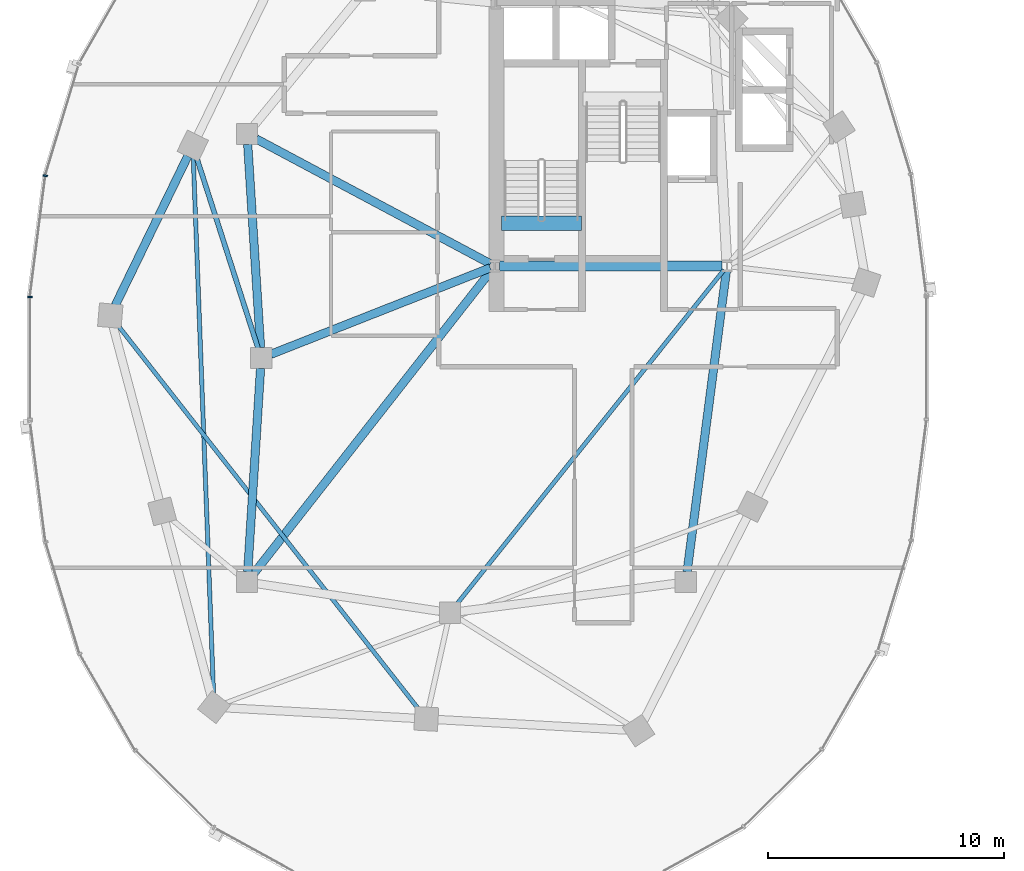
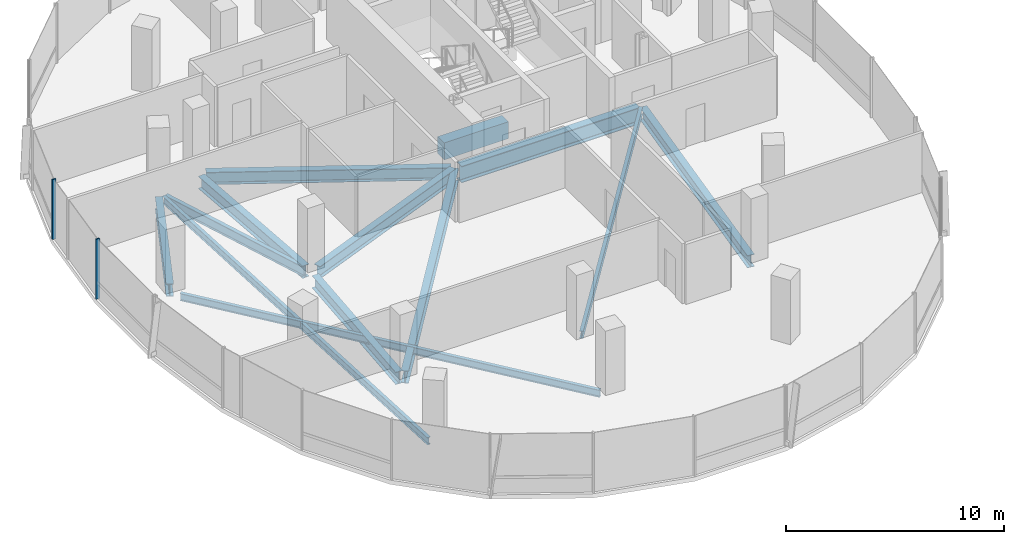
# One storey, part 3 of 22: 13 beams, 2 members, 1 element without a shape of its own.
"""IFC4 building model written with IfcOpenShell, lengths in metres."""

from ifc_helpers import new_model, si_unit, direction, frame, origin, origin_2d, place, context, subcontext, project, spatial, rectangle, i_section, extrude, material, material_profile, profile_set, type_object, element, aggregate, save


model = new_model("IFC4")

# Units and contexts
model_context = context("Model", 3, precision=1e-05, world=origin(), true_north=direction((0.0, 1.0)))
body_context = subcontext(model_context, "Body", "Model", "MODEL_VIEW")
ifc_project = project(units=[si_unit("LENGTHUNIT", "METRE"), si_unit("AREAUNIT", "SQUARE_METRE"), si_unit("VOLUMEUNIT", "CUBIC_METRE"), si_unit("PLANEANGLEUNIT", "RADIAN"), si_unit("MASSUNIT", "GRAM", prefix="KILO"), si_unit("THERMODYNAMICTEMPERATUREUNIT", "KELVIN"), si_unit("POWERUNIT", "WATT")], contexts=[model_context])

# Site, building, storey
site_placement = place(None, origin())
site = spatial("IfcSite", under=ifc_project, at=site_placement, CompositionType="ELEMENT")
building_placement = place(site_placement, origin())
building = spatial("IfcBuilding", under=site, at=building_placement, Name="Cundina Bronze Exchange", CompositionType="ELEMENT")
storey_placement = place(building_placement, frame((0.0, 0.0, 158.39990234375)))
storey = spatial("IfcBuildingStorey", under=building, at=storey_placement, Name="L41", CompositionType="ELEMENT", Elevation=158.39990234375)

# Beams
ifc_material_1 = material(Name="Concrete C60/75", Category="concrete")
ifc_material_profile_1 = material_profile(ifc_material_1, rectangle(XDim=0.60009765625, YDim=0.949951171875, at=origin_2d()), Name="RC600X950", Category="concrete")
ifc_profile_set_1 = profile_set([ifc_material_profile_1], Name="Concrete C60/75")
beam_type_1 = type_object("IfcBeamType", Name="BM-COUP-RC950", PredefinedType="LINTEL", material=ifc_profile_set_1)
beam_1_placement = place(storey_placement, frame((-31.02001953125, 5.719970703125, -0.474853515625), z_axis=(1.0, 0.0, 0.0), x_axis=(0.0, 1.0, 0.0)))
element("IfcBeam", 1, at=beam_1_placement, inside=storey, type_object=beam_type_1, Name="L41 Stair W1 Landing Header Beam", PredefinedType="LINTEL", context=body_context, shape_type="SweptSolid", body=[
    extrude(rectangle(XDim=0.60009765625, YDim=0.949951171875, at=origin_2d()), origin(), (0.0, 0.0, 1.0), 3.39990234375),
])
ifc_material_2 = material(Name="Steel ASTM A992 Grade 50", Category="steel")
ifc_material_profile_2 = material_profile(ifc_material_2, i_section(OverallWidth=0.2119140625, OverallDepth=0.5439453125, WebThickness=0.01318359375, FlangeThickness=0.021240234375, FilletRadius=0.013916015625, at=origin_2d()), Name="W21X83", Category="steel")
ifc_profile_set_2 = profile_set([ifc_material_profile_2], Name="Steel ASTM A992 Grade 50")
beam_type_2 = type_object("IfcBeamType", Name="BM-FLR-W21A", PredefinedType="BEAM", material=ifc_profile_set_2)
beam_2_placement = place(storey_placement, frame((-41.334228515625, 0.4169921875, -0.511962890625), z_axis=(-0.30669751302, 0.951807036908, 0.0), x_axis=(-0.951807036908, -0.30669751302, 0.0)))
element("IfcBeam", 2, at=beam_2_placement, inside=storey, type_object=beam_type_2, Name="L41 Leg W Radial Floor Beam 07", PredefinedType="BEAM", context=body_context, shape_type="SweptSolid", body=[
    extrude(i_section(OverallWidth=0.2119140625, OverallDepth=0.5439453125, WebThickness=0.01318359375, FlangeThickness=0.021240234375, FilletRadius=0.013916015625, at=origin_2d()), origin(), (0.0, 0.0, 1.0), 8.529541015625),
])
ifc_material_profile_3 = material_profile(ifc_material_2, i_section(OverallWidth=0.178955078125, OverallDepth=0.409912109375, WebThickness=0.0087890625, FlangeThickness=0.014404296875, FilletRadius=0.010986328125, at=origin_2d()), Name="W16X45", Category="steel")
ifc_profile_set_3 = profile_set([ifc_material_profile_3], Name="Steel ASTM A992 Grade 50")
beam_type_3 = type_object("IfcBeamType", Name="BM-JST-W16", PredefinedType="JOIST", material=ifc_profile_set_3)
beam_3_placement = place(storey_placement, frame((-21.577392578125, 3.740478515625, -0.44482421875), z_axis=(-0.624370675223, -0.781128196854, 0.0), x_axis=(0.781128196854, -0.624370675223, 0.0)))
element("IfcBeam", 3, at=beam_3_placement, inside=storey, type_object=beam_type_3, Name="L41 W Interior Core-to-Ring Joist 2", PredefinedType="JOIST", context=body_context, shape_type="SweptSolid", body=[
    extrude(i_section(OverallWidth=0.178955078125, OverallDepth=0.409912109375, WebThickness=0.0087890625, FlangeThickness=0.014404296875, FilletRadius=0.010986328125, at=origin_2d()), origin(), (0.0, 0.0, 1.0), 18.177001953125),
])
beam_4_placement = place(storey_placement, frame((-44.08154296875, 8.51220703125, -0.44482421875), z_axis=(0.037784933381, -0.999285894431, 0.0), x_axis=(0.999285894431, 0.037784933381, 0.0)))
element("IfcBeam", 4, at=beam_4_placement, inside=storey, type_object=beam_type_3, Name="L41 Leg W Lobe Floor Joist 07-10", PredefinedType="JOIST", context=body_context, shape_type="SweptSolid", body=[
    extrude(i_section(OverallWidth=0.178955078125, OverallDepth=0.409912109375, WebThickness=0.0087890625, FlangeThickness=0.014404296875, FilletRadius=0.010986328125, at=origin_2d()), origin(), (0.0, 0.0, 1.0), 22.8408203125),
])
beam_5_placement = place(storey_placement, frame((-47.299072265625, 1.416015625, -0.44482421875), z_axis=(0.616801484103, -0.787118751656, 0.0), x_axis=(0.787118751656, 0.616801484103, 0.0)))
element("IfcBeam", 5, at=beam_5_placement, inside=storey, type_object=beam_type_3, Name="L41 Leg W Lobe Floor Joist 08-11", PredefinedType="JOIST", context=body_context, shape_type="SweptSolid", body=[
    extrude(i_section(OverallWidth=0.178955078125, OverallDepth=0.409912109375, WebThickness=0.0087890625, FlangeThickness=0.014404296875, FilletRadius=0.010986328125, at=origin_2d()), origin(), (0.0, 0.0, 1.0), 20.7490234375),
])
ifc_material_profile_4 = material_profile(ifc_material_2, i_section(OverallWidth=0.35498046875, OverallDepth=0.695068359375, WebThickness=0.015380859375, FlangeThickness=0.02490234375, FilletRadius=0.01806640625, at=origin_2d()), Name="W27X146", Category="steel")
ifc_profile_set_4 = profile_set([ifc_material_profile_4], Name="Steel ASTM A992 Grade 50")
beam_type_4 = type_object("IfcBeamType", Name="BM-RING-W27", PredefinedType="USERDEFINED", material=ifc_profile_set_4)
for number, where, z_axis, x_axis, name in (
    (6, (-41.7724609375, 9.06298828125, -0.58740234375), (0.063046519736, -0.998010589297, 0.0), (0.998010589297, 0.063046519736, 0.0), "L41 W Inner Structural Ring Girder 03"),
    (7, (-41.2275390625, -0.43701171875, -0.58740234375), (-0.063046519736, -0.998010589297, 0.0), (0.998010589297, -0.063046519736, 0.0), "L41 W Inner Structural Ring Girder 04"),
):
    element("IfcBeam", number, at=place(storey_placement, frame(where, z_axis=z_axis, x_axis=x_axis)), inside=storey, type_object=beam_type_4, Name=name, ObjectType="GIRDER", PredefinedType="USERDEFINED", context=body_context, shape_type="SweptSolid", body=[
        extrude(i_section(OverallWidth=0.35498046875, OverallDepth=0.695068359375, WebThickness=0.015380859375, FlangeThickness=0.02490234375, FilletRadius=0.01806640625, at=origin_2d()), origin(), (0.0, 0.0, 1.0), 8.64306640625),
    ])
beam_6_placement = place(storey_placement, frame((-23.143310546875, -9.065673828125, -0.58740234375), z_axis=(0.129507030047, 0.991578503785, 0.0), x_axis=(-0.991578503785, 0.129507030047, 0.0)))
element("IfcBeam", 8, at=beam_6_placement, inside=storey, type_object=beam_type_4, Name="L41 W Inner Structural Ring Girder 07", ObjectType="GIRDER", PredefinedType="USERDEFINED", context=body_context, shape_type="SweptSolid", body=[
    extrude(i_section(OverallWidth=0.35498046875, OverallDepth=0.695068359375, WebThickness=0.015380859375, FlangeThickness=0.02490234375, FilletRadius=0.01806640625, at=origin_2d()), origin(), (0.0, 0.0, 1.0), 12.871826171875),
])
beam_7_placement = place(storey_placement, frame((-31.48974609375, 3.8251953125, -0.58740234375), z_axis=(-0.930405617189, -0.36653156413, 0.0), x_axis=(0.36653156413, -0.930405617189, 0.0)))
element("IfcBeam", 9, at=beam_7_placement, inside=storey, type_object=beam_type_4, Name="L41 W Core-to-Waist Tie Beam 1", ObjectType="GIRDER", PredefinedType="USERDEFINED", context=body_context, shape_type="SweptSolid", body=[
    extrude(i_section(OverallWidth=0.35498046875, OverallDepth=0.695068359375, WebThickness=0.015380859375, FlangeThickness=0.02490234375, FilletRadius=0.01806640625, at=origin_2d()), origin(), (0.0, 0.0, 1.0), 9.99853515625),
])
beam_8_placement = place(storey_placement, frame((-31.47998046875, 3.99609375, -0.58740234375), z_axis=(-0.88235534237, 0.470583733028, 0.0), x_axis=(-0.470583733028, -0.88235534237, 0.0)))
element("IfcBeam", 10, at=beam_8_placement, inside=storey, type_object=beam_type_4, Name="L41 W Core-to-Waist Tie Beam 2", ObjectType="GIRDER", PredefinedType="USERDEFINED", context=body_context, shape_type="SweptSolid", body=[
    extrude(i_section(OverallWidth=0.35498046875, OverallDepth=0.695068359375, WebThickness=0.015380859375, FlangeThickness=0.02490234375, FilletRadius=0.01806640625, at=origin_2d()), origin(), (0.0, 0.0, 1.0), 11.258056640625),
])
beam_9_placement = place(storey_placement, frame((-31.42578125, 3.739501953125, -0.58740234375), z_axis=(-0.616779109924, -0.787136283982, 0.0), x_axis=(0.787136283982, -0.616779109924, 0.0)))
element("IfcBeam", 11, at=beam_9_placement, inside=storey, type_object=beam_type_4, Name="L41 W Core-to-Waist Tie Beam 3", ObjectType="GIRDER", PredefinedType="USERDEFINED", context=body_context, shape_type="SweptSolid", body=[
    extrude(i_section(OverallWidth=0.35498046875, OverallDepth=0.695068359375, WebThickness=0.015380859375, FlangeThickness=0.02490234375, FilletRadius=0.01806640625, at=origin_2d()), origin(), (0.0, 0.0, 1.0), 16.3818359375),
])
beam_10_placement = place(storey_placement, frame((-44.3134765625, 8.56103515625, -0.58740234375), z_axis=(-0.437196998825, -0.89936576776, 0.0), x_axis=(0.89936576776, -0.437196998825, 0.0)))
element("IfcBeam", 12, at=beam_10_placement, inside=storey, type_object=beam_type_4, Name="L41 W Perimeter Ring Girder 07", ObjectType="GIRDER", PredefinedType="USERDEFINED", context=body_context, shape_type="SweptSolid", body=[
    extrude(i_section(OverallWidth=0.35498046875, OverallDepth=0.695068359375, WebThickness=0.015380859375, FlangeThickness=0.02490234375, FilletRadius=0.01806640625, at=origin_2d()), origin(), (0.0, 0.0, 1.0), 7.029541015625),
])
ifc_material_profile_5 = material_profile(ifc_material_2, i_section(OverallWidth=0.41796875, OverallDepth=0.927001953125, WebThickness=0.019287109375, FlangeThickness=0.031982421875, FilletRadius=0.02392578125, at=origin_2d()), Name="W36X231", Category="steel")
ifc_profile_set_5 = profile_set([ifc_material_profile_5], Name="Steel ASTM A992 Grade 50")
beam_type_5 = type_object("IfcBeamType", Name="BM-WRN-W36B", PredefinedType="USERDEFINED", material=ifc_profile_set_5)
beam_11_placement = place(storey_placement, frame((-31.095947265625, 3.89990234375, -0.703369140625), z_axis=(1.0, 0.0, 0.0), x_axis=(0.0, 1.0, 0.0)))
element("IfcBeam", 13, at=beam_11_placement, inside=storey, type_object=beam_type_5, Name="L41 W Core Perimeter Tie Girder 1", ObjectType="GIRDER", PredefinedType="USERDEFINED", context=body_context, shape_type="SweptSolid", body=[
    extrude(i_section(OverallWidth=0.41796875, OverallDepth=0.927001953125, WebThickness=0.019287109375, FlangeThickness=0.031982421875, FilletRadius=0.02392578125, at=origin_2d()), origin(), (0.0, 0.0, 1.0), 9.44189453125),
])

# Curtain wall, members
ifc_material_3 = material(Name="Anodised Bronze Aluminium 6063-T6", Category="aluminium")
curtain_wall_type = type_object("IfcCurtainWallType", Name="CWS-WST-PIN", PredefinedType="NOTDEFINED", material=ifc_material_3)
curtain_wall_placement = place(storey_placement, origin())
curtain_wall = element("IfcCurtainWall", 14, at=curtain_wall_placement, inside=storey, type_object=curtain_wall_type, Name="L41 CW-04 Curtain Wall Run CWR-L41-W2", PredefinedType="NOTDEFINED")
ifc_material_profile_6 = material_profile(ifc_material_3, rectangle(XDim=0.070068359375, YDim=0.18994140625, at=origin_2d()), Name="AL70X190", Category="aluminium")
ifc_profile_set_6 = profile_set([ifc_material_profile_6], Name="Anodised Bronze Aluminium 6063-T6")
member_type = type_object("IfcMemberType", Name="CWM-MUL-190", PredefinedType="MULLION", material=ifc_profile_set_6)
member_1_placement = place(storey_placement, frame((-50.357177734375, 7.731689453125, 0.0), z_axis=(0.0, 0.0, 1.0), x_axis=(-0.126545236492, -0.991960837494, 0.0)))
member_1 = element("IfcMember", 15, at=member_1_placement, type_object=member_type, Name="CW-04 Mullion 6", PredefinedType="MULLION", context=body_context, shape_type="SweptSolid", body=[
    extrude(rectangle(XDim=0.070068359375, YDim=0.18994140625, at=origin_2d()), origin(), (0.0, 0.0, 1.0), 3.360107421875),
])
member_2_placement = place(storey_placement, frame((-51.007080078125, 2.593017578125, 0.0), z_axis=(0.0, 0.0, 1.0), x_axis=(0.0, -1.0, 0.0)))
member_2 = element("IfcMember", 16, at=member_2_placement, type_object=member_type, Name="CW-04 Mullion 7", PredefinedType="MULLION", context=body_context, shape_type="SweptSolid", body=[
    extrude(rectangle(XDim=0.070068359375, YDim=0.18994140625, at=origin_2d()), origin(), (0.0, 0.0, 1.0), 3.360107421875),
])
aggregate(curtain_wall, [member_1, member_2])

save(model, "model.ifc")
